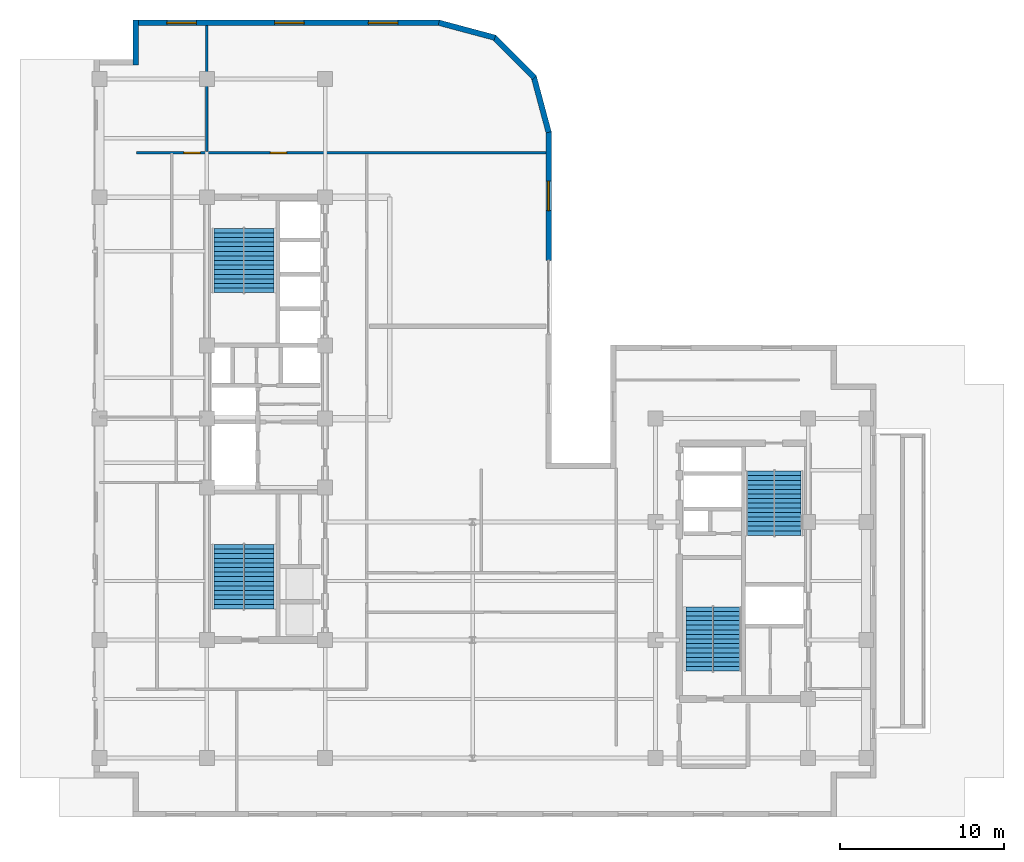
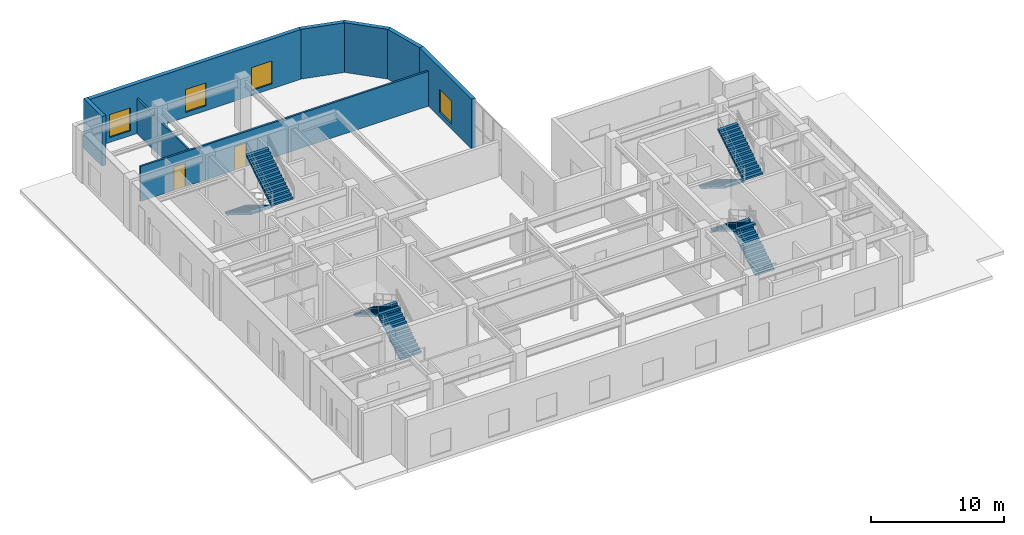
# One storey, part 10 of 16: 8 stair flights, 8 walls, 4 windows, 2 doors, 6 openings, 4 elements without a shape of their own.
"""IFC4 building model written with IfcOpenShell, lengths in metres."""

import ifcopenshell
import ifcopenshell.guid

model = None  # the IFC model being written
_history = None  # IfcOwnerHistory: only IFC2X3 demands one
_inside = {}  # id of a spatial element -> (the spatial element, [elements in it])
_under = {}  # id of a project, library or spatial element -> (it, [spatial elements below it])
_declared = {}  # id of a project -> (the project, [libraries it declares])
_typed = {}  # id of a type object -> (the type object, [elements of that type])
_made_of = {}  # id of a material, layer set ... -> (it, [elements and type objects made of it])


def new_model(schema):
    """Start an empty IFC model of exactly this schema.

    Asked for "IFC4X3", IfcOpenShell would pick the latest addendum, in which some entities
    have other attributes; the version numbers below select the first issue.
    IFC2X3 requires an IfcOwnerHistory on every rooted entity: one is made here for all.
    """
    global model, _history
    if schema == "IFC4X3":
        model = ifcopenshell.file(schema_version=(4, 3, 0, 0))
    else:
        model = ifcopenshell.file(schema=schema)
    _inside.clear()
    _under.clear()
    _declared.clear()
    _typed.clear()
    _made_of.clear()
    _history = None
    if model.schema == "IFC2X3":
        org = make("IfcOrganization", Name="unknown")
        user = make(
            "IfcPersonAndOrganization",
            ThePerson=make("IfcPerson", FamilyName="unknown"),
            TheOrganization=org,
        )
        app = make(
            "IfcApplication",
            ApplicationDeveloper=org,
            Version="unknown",
            ApplicationFullName="unknown",
            ApplicationIdentifier="unknown",
        )
        _history = make(
            "IfcOwnerHistory",
            OwningUser=user,
            OwningApplication=app,
            ChangeAction="ADDED",
            CreationDate=0,
        )
    return model


def make(cls, **values):
    """One entity of the class cls with the attributes given. An attribute that is None is left unset."""
    return model.create_entity(
        cls, **{name: value for name, value in values.items() if value is not None}
    )


def entity(cls, *values):
    """Any entity or typed value of the class cls, its attributes in the order of the schema. None: left unset."""
    e = model.create_entity(cls)
    for i, value in enumerate(values):
        if value is not None:
            e[i] = value
    return e


def rooted(cls, **values):
    """An entity with a GlobalId (a new one), such as an element, a storey or a relation."""
    return make(cls, GlobalId=ifcopenshell.guid.new(), OwnerHistory=_history, **values)


def si_unit(unit_type, name, prefix=None):
    """IfcSIUnit, for example si_unit("LENGTHUNIT", "METRE", prefix="MILLI")."""
    return make("IfcSIUnit", UnitType=unit_type, Prefix=prefix, Name=name)


def converted_unit(unit_type, name, factor, base, dimensions=None, offset=None):
    """IfcConversionBasedUnit, such as the inch: factor (a typed value) times the base unit."""
    return make(
        "IfcConversionBasedUnit"
        if offset is None
        else "IfcConversionBasedUnitWithOffset",
        ConversionOffset=offset,
        Dimensions=None
        if dimensions is None
        else entity("IfcDimensionalExponents", *dimensions),
        UnitType=unit_type,
        Name=name,
        ConversionFactor=make(
            "IfcMeasureWithUnit", ValueComponent=factor, UnitComponent=base
        ),
    )


def assignment(units):
    """IfcUnitAssignment: the units of a project."""
    return None if units is None else make("IfcUnitAssignment", Units=units)


def point(xyz):
    """IfcCartesianPoint."""
    return None if xyz is None else make("IfcCartesianPoint", Coordinates=xyz)


def direction(xyz):
    """IfcDirection."""
    return None if xyz is None else make("IfcDirection", DirectionRatios=xyz)


def frame(location, z_axis=None, x_axis=None):
    """IfcAxis2Placement3D, a coordinate frame: its origin and axes. An axis left out is left unset."""
    return make(
        "IfcAxis2Placement3D",
        Location=point(location),
        Axis=direction(z_axis),
        RefDirection=direction(x_axis),
    )


def frame_2d(location, x_axis=None):
    """IfcAxis2Placement2D, a coordinate frame in the plane: its origin and x axis."""
    return make(
        "IfcAxis2Placement2D", Location=point(location), RefDirection=direction(x_axis)
    )


def origin_with_axes():
    """The frame at (0, 0, 0) with the z axis (0, 0, 1) and the x axis (1, 0, 0) written out."""
    return frame((0.0, 0.0, 0.0), z_axis=(0.0, 0.0, 1.0), x_axis=(1.0, 0.0, 0.0))


def origin_2d_with_axis():
    """The frame at (0, 0) in the plane with the x axis (1, 0) written out."""
    return frame_2d((0.0, 0.0), x_axis=(1.0, 0.0))


def place(relative_to, where):
    """IfcLocalPlacement: puts the frame where relative to a parent placement (None: the world)."""
    return make(
        "IfcLocalPlacement", PlacementRelTo=relative_to, RelativePlacement=where
    )


def context(
    kind, dimensions, precision=None, world=None, true_north=None, identifier=None
):
    """IfcGeometricRepresentationContext, for example the 3D "Model" context."""
    return make(
        "IfcGeometricRepresentationContext",
        ContextIdentifier=identifier,
        ContextType=kind,
        CoordinateSpaceDimension=dimensions,
        Precision=precision,
        WorldCoordinateSystem=world,
        TrueNorth=true_north,
    )


def subcontext(parent, identifier, kind, view, scale=None):
    """IfcGeometricRepresentationSubContext, for example "Body" below "Model"."""
    return make(
        "IfcGeometricRepresentationSubContext",
        ContextIdentifier=identifier,
        ContextType=kind,
        ParentContext=parent,
        TargetScale=scale,
        TargetView=view,
    )


def project(units=None, contexts=None):
    """IfcProject with its units and contexts."""
    return rooted(
        "IfcProject",
        Name="project",
        RepresentationContexts=contexts,
        UnitsInContext=assignment(units),
    )


def spatial(cls, under=None, at=None, **own):
    """A site, building, storey or space (cls), placed at a placement, below another one or the project."""
    s = rooted(cls, ObjectPlacement=at, **own)
    if under is not None:
        _under.setdefault(under.id(), (under, []))[1].append(s)
    return s


def polyline(points):
    """IfcPolyline through the points."""
    return make("IfcPolyline", Points=[point(p) for p in points])


def profile(cls, at=None, kind="AREA", **sizes):
    """A parametric profile (cls). Its sizes go by their IFC names, for example OverallWidth=200.0."""
    return make(cls, ProfileType=kind, Position=at, **sizes)


def rectangle(**sizes):
    """IfcRectangleProfileDef."""
    return profile("IfcRectangleProfileDef", **sizes)


def outline(outer, holes=None, kind="AREA"):
    """IfcArbitraryClosedProfileDef: a profile drawn as a closed curve; with holes, ...WithVoids."""
    if holes is None:
        return make("IfcArbitraryClosedProfileDef", ProfileType=kind, OuterCurve=outer)
    return make(
        "IfcArbitraryProfileDefWithVoids",
        ProfileType=kind,
        OuterCurve=outer,
        InnerCurves=holes,
    )


def extrude(swept, where, along, depth):
    """IfcExtrudedAreaSolid: the profile swept, set in the frame where, extruded along a direction by depth."""
    return make(
        "IfcExtrudedAreaSolid",
        SweptArea=swept,
        Position=where,
        ExtrudedDirection=direction(along),
        Depth=depth,
    )


def shape(context_of_items, identifier, shape_type, items):
    """IfcShapeRepresentation: the items that make up one representation, for example the "Body"."""
    return make(
        "IfcShapeRepresentation",
        ContextOfItems=context_of_items,
        RepresentationIdentifier=identifier,
        RepresentationType=shape_type,
        Items=items,
    )


def material(Name=None, Category=None):
    """IfcMaterial."""
    return make("IfcMaterial", Name=Name, Category=Category)


def layer(
    of_material, thickness, ventilated=None, Name=None, Category=None, Priority=None
):
    """IfcMaterialLayer: one layer of a wall or slab, of a material (None: an air gap)."""
    return make(
        "IfcMaterialLayer",
        Material=of_material,
        LayerThickness=thickness,
        IsVentilated=ventilated,
        Name=Name,
        Category=Category,
        Priority=Priority,
    )


def layer_set(layers, Name=None):
    """IfcMaterialLayerSet."""
    return make("IfcMaterialLayerSet", MaterialLayers=layers, LayerSetName=Name)


def made_of(thing, what):
    """Note that an element or type object is made of a material, layer set ...; save() writes the relation."""
    if what is not None:
        _made_of.setdefault(what.id(), (what, []))[1].append(thing)
    return thing


def type_object(cls, material=None, **own):
    """A type object (cls), such as IfcWallType, which elements share."""
    return made_of(rooted(cls, **own), material)


def element(
    cls,
    number,
    at=None,
    inside=None,
    cuts=None,
    type_object=None,
    material=None,
    context=None,
    identifier="Body",
    shape_type=None,
    held_by="IfcProductDefinitionShape",
    body=None,
    shapes=None,
    **own,
):
    """One element of the class cls, such as IfcWall. Its Tag is "e" and its number.

    at: its placement. inside: the storey or other place that contains it. cuts: it is an
    opening in that element (IfcRelVoidsElement). A single representation is given by context,
    identifier, shape_type and body (its items); several are given by shapes. held_by: the class
    of the entity that holds the representations. save() writes the other relations.
    """
    e = rooted(cls, Tag="e%d" % number, ObjectPlacement=at, **own)
    if body is not None:
        shapes = [shape(context, identifier, shape_type, body)]
    if shapes is not None:
        e.Representation = make(held_by, Representations=shapes)
    if inside is not None:
        _inside.setdefault(inside.id(), (inside, []))[1].append(e)
    if cuts is not None:
        rooted(
            "IfcRelVoidsElement", RelatingBuildingElement=cuts, RelatedOpeningElement=e
        )
    if type_object is not None:
        _typed.setdefault(type_object.id(), (type_object, []))[1].append(e)
    return made_of(e, material)


def fill(opening, filler):
    """IfcRelFillsElement: the door or window that sits in an opening."""
    return rooted(
        "IfcRelFillsElement",
        RelatingOpeningElement=opening,
        RelatedBuildingElement=filler,
    )


def aggregate(whole, parts):
    """IfcRelAggregates: a whole, such as a stair, and the parts it consists of."""
    return rooted("IfcRelAggregates", RelatingObject=whole, RelatedObjects=parts)


def save(model, path):
    """Write the relations noted so far, then the file.

    IfcRelAggregates (storeys below a building ...), IfcRelContainedInSpatialStructure (elements
    in a storey), IfcRelDefinesByType, IfcRelAssociatesMaterial and IfcRelDeclares: one each for
    every whole, place, type object, material and project.
    """
    for whole, parts in _under.values():
        aggregate(whole, parts)
    for where, things in _inside.values():
        rooted(
            "IfcRelContainedInSpatialStructure",
            RelatedElements=things,
            RelatingStructure=where,
        )
    for kind, things in _typed.values():
        rooted("IfcRelDefinesByType", RelatedObjects=things, RelatingType=kind)
    for what, things in _made_of.values():
        rooted("IfcRelAssociatesMaterial", RelatedObjects=things, RelatingMaterial=what)
    for by, libraries in _declared.values():
        rooted("IfcRelDeclares", RelatingContext=by, RelatedDefinitions=libraries)
    model.write(path)


model = new_model("IFC4")

# Units and contexts
model_context = context("Model", 3, precision=1e-05, world=origin_with_axes(), true_north=direction((0.0, 1.0)))
body_context = subcontext(model_context, "Body", "Model", "MODEL_VIEW")
ifc_project = project(units=[si_unit("LENGTHUNIT", "METRE"), si_unit("AREAUNIT", "SQUARE_METRE"), si_unit("VOLUMEUNIT", "CUBIC_METRE"), converted_unit("PLANEANGLEUNIT", "DEGREE", entity("IfcPlaneAngleMeasure", 0.017453292519943295), si_unit("PLANEANGLEUNIT", "RADIAN"), dimensions=[0, 0, 0, 0, 0, 0, 0]), si_unit("MASSUNIT", "GRAM", prefix="KILO"), si_unit("THERMODYNAMICTEMPERATUREUNIT", "KELVIN")], contexts=[model_context])

# Site, building, storey
site_placement = place(None, origin_with_axes())
site = spatial("IfcSite", under=ifc_project, at=site_placement, CompositionType="ELEMENT")
building_placement = place(site_placement, origin_with_axes())
building = spatial("IfcBuilding", under=site, at=building_placement, Name="Varnlund Millrace Tower", CompositionType="ELEMENT")
storey_placement = place(building_placement, frame((0.0, 0.0, 219.9), z_axis=(0.0, 0.0, 1.0), x_axis=(1.0, 0.0, 0.0)))
storey = spatial("IfcBuildingStorey", under=building, at=storey_placement, Name="L54", CompositionType="ELEMENT", Elevation=219.9)

# Wall
ifc_material_1 = material(Name="Precast concrete C50/60", Category="concrete")
ifc_layer_1 = layer(ifc_material_1, 0.34, Name="Precast concrete C50/60")
ifc_layer_set_1 = layer_set([ifc_layer_1], Name="Precast concrete C50/60")
wall_type_1 = type_object("IfcWallType", Name="Type-ExtWall-Precast-Upper-340", PredefinedType="SOLIDWALL", material=ifc_layer_set_1)
wall_1_placement = place(storey_placement, frame((7.07, 45.86, 0.0), z_axis=(0.0, 0.0, 1.0), x_axis=(0.0, 1.0, 0.0)))
element("IfcWall", 1, at=wall_1_placement, inside=storey, type_object=wall_type_1, Name="Type-ExtWall-Precast-Upper-340", PredefinedType="SOLIDWALL", context=body_context, shape_type="SweptSolid", body=[
    extrude(outline(polyline([(0.0, -0.17), (2.74, -0.17), (2.74, 0.17), (0.0, 0.17), (0.0, -0.17)])), origin_with_axes(), (0.0, 0.0, 1.0), 4.56),
])

# Wall, openings, windows
wall_2_placement = place(storey_placement, frame((7.24, 48.43, 0.0), z_axis=(0.0, 0.0, 1.0), x_axis=(1.0, 0.0, 0.0)))
wall_2 = element("IfcWall", 2, at=wall_2_placement, inside=storey, type_object=wall_type_1, Name="Type-ExtWall-Precast-Upper-340", PredefinedType="SOLIDWALL", context=body_context, shape_type="SweptSolid", body=[
    extrude(outline(polyline([(0.0, -0.17), (18.36, -0.17), (18.36, 0.17), (0.0, 0.17), (0.0, -0.17)])), origin_with_axes(), (0.0, 0.0, 1.0), 4.56),
])
opening_1_placement = place(wall_2_placement, frame((2.61, 0.0, 0.45), z_axis=(0.0, 0.0, 1.0), x_axis=(1.0, 0.0, 0.0)))
opening_1 = element("IfcOpeningElement", 3, at=opening_1_placement, cuts=wall_2, Name="Opening L54:WN-21", PredefinedType="OPENING", context=body_context, shape_type="SweptSolid", body=[
    extrude(rectangle(XDim=1.8, YDim=0.36, at=origin_2d_with_axis()), origin_with_axes(), (0.0, 0.0, 1.0), 2.1),
])
opening_2_placement = place(wall_2_placement, frame((9.18, 0.0, 0.45), z_axis=(0.0, 0.0, 1.0), x_axis=(1.0, 0.0, 0.0)))
opening_2 = element("IfcOpeningElement", 4, at=opening_2_placement, cuts=wall_2, Name="Opening L54:WN-22", PredefinedType="OPENING", context=body_context, shape_type="SweptSolid", body=[
    extrude(rectangle(XDim=1.8, YDim=0.36, at=origin_2d_with_axis()), origin_with_axes(), (0.0, 0.0, 1.0), 2.1),
])
opening_3_placement = place(wall_2_placement, frame((14.9, 0.0, 0.45), z_axis=(0.0, 0.0, 1.0), x_axis=(1.0, 0.0, 0.0)))
opening_3 = element("IfcOpeningElement", 5, at=opening_3_placement, cuts=wall_2, Name="Opening L54:WN-23", PredefinedType="OPENING", context=body_context, shape_type="SweptSolid", body=[
    extrude(rectangle(XDim=1.8, YDim=0.36, at=origin_2d_with_axis()), origin_with_axes(), (0.0, 0.0, 1.0), 2.1),
])
ifc_material_2 = material(Name="Argon low-e triple glazing in thermally broken bronze frame", Category="glass")
window_type = type_object("IfcWindowType", Name="Type-Window-Punched-1800X2100", PartitioningType="SINGLE_PANEL", PredefinedType="WINDOW", material=ifc_material_2)
window_1_placement = place(wall_2_placement, frame((2.61, 0.0, 0.45), z_axis=(0.0, 0.0, 1.0), x_axis=(1.0, 0.0, 0.0)))
window_1 = element("IfcWindow", 6, at=window_1_placement, inside=storey, type_object=window_type, Name="Type-Window-Punched-1800X2100", OverallHeight=2.1, OverallWidth=1.8, PredefinedType="WINDOW", context=body_context, shape_type="SweptSolid", body=[
    extrude(rectangle(XDim=1.8, YDim=0.09, at=origin_2d_with_axis()), origin_with_axes(), (0.0, 0.0, 1.0), 2.1),
])
fill(opening_1, window_1)
window_2_placement = place(wall_2_placement, frame((9.18, 0.0, 0.45), z_axis=(0.0, 0.0, 1.0), x_axis=(1.0, 0.0, 0.0)))
window_2 = element("IfcWindow", 7, at=window_2_placement, inside=storey, type_object=window_type, Name="Type-Window-Punched-1800X2100", OverallHeight=2.1, OverallWidth=1.8, PredefinedType="WINDOW", context=body_context, shape_type="SweptSolid", body=[
    extrude(rectangle(XDim=1.8, YDim=0.09, at=origin_2d_with_axis()), origin_with_axes(), (0.0, 0.0, 1.0), 2.1),
])
fill(opening_2, window_2)
window_3_placement = place(wall_2_placement, frame((14.9, 0.0, 0.45), z_axis=(0.0, 0.0, 1.0), x_axis=(1.0, 0.0, 0.0)))
window_3 = element("IfcWindow", 8, at=window_3_placement, inside=storey, type_object=window_type, Name="Type-Window-Punched-1800X2100", OverallHeight=2.1, OverallWidth=1.8, PredefinedType="WINDOW", context=body_context, shape_type="SweptSolid", body=[
    extrude(rectangle(XDim=1.8, YDim=0.09, at=origin_2d_with_axis()), origin_with_axes(), (0.0, 0.0, 1.0), 2.1),
])
fill(opening_3, window_3)

# Walls
wall_3_placement = place(storey_placement, frame((25.537, 48.441, 0.0), z_axis=(0.0, 0.0, 1.0), x_axis=(0.965934, -0.258788, 0.0)))
element("IfcWall", 9, at=wall_3_placement, inside=storey, type_object=wall_type_1, Name="Type-ExtWall-Precast-Upper-340", PredefinedType="SOLIDWALL", context=body_context, shape_type="SweptSolid", body=[
    extrude(outline(polyline([(0.0, -0.17), (3.539579, -0.17), (3.539579, 0.17), (0.0, 0.17), (0.0, -0.17)])), origin_with_axes(), (0.0, 0.0, 1.0), 4.56),
])
wall_4_placement = place(storey_placement, frame((28.866, 47.583, 0.0), z_axis=(0.0, 0.0, 1.0), x_axis=(0.707107, -0.707107, 0.0)))
element("IfcWall", 10, at=wall_4_placement, inside=storey, type_object=wall_type_1, Name="Type-ExtWall-Precast-Upper-340", PredefinedType="SOLIDWALL", context=body_context, shape_type="SweptSolid", body=[
    extrude(outline(polyline([(0.0, -0.17), (3.539777, -0.17), (3.539777, 0.17), (0.0, 0.17), (0.0, -0.17)])), origin_with_axes(), (0.0, 0.0, 1.0), 4.56),
])
wall_5_placement = place(storey_placement, frame((31.32, 45.175, 0.0), z_axis=(0.0, 0.0, 1.0), x_axis=(0.258788, -0.965934, 0.0)))
element("IfcWall", 11, at=wall_5_placement, inside=storey, type_object=wall_type_1, Name="Type-ExtWall-Precast-Upper-340", PredefinedType="SOLIDWALL", context=body_context, shape_type="SweptSolid", body=[
    extrude(outline(polyline([(0.0, -0.17), (3.539579, -0.17), (3.539579, 0.17), (0.0, 0.17), (0.0, -0.17)])), origin_with_axes(), (0.0, 0.0, 1.0), 4.56),
])

# Wall, opening, window
wall_6_placement = place(storey_placement, frame((32.23, 41.82, 0.0), z_axis=(0.0, 0.0, 1.0), x_axis=(0.0, -1.0, 0.0)))
wall_6 = element("IfcWall", 12, at=wall_6_placement, inside=storey, type_object=wall_type_1, Name="Type-ExtWall-Precast-Upper-340", PredefinedType="SOLIDWALL", context=body_context, shape_type="SweptSolid", body=[
    extrude(outline(polyline([(0.0, -0.17), (7.87, -0.17), (7.87, 0.17), (0.0, 0.17), (0.0, -0.17)])), origin_with_axes(), (0.0, 0.0, 1.0), 4.56),
])
opening_4_placement = place(wall_6_placement, frame((3.935, 0.0, 0.45), z_axis=(0.0, 0.0, 1.0), x_axis=(1.0, 0.0, 0.0)))
opening_4 = element("IfcOpeningElement", 13, at=opening_4_placement, cuts=wall_6, Name="Opening L54:WN-24", PredefinedType="OPENING", context=body_context, shape_type="SweptSolid", body=[
    extrude(rectangle(XDim=1.8, YDim=0.36, at=origin_2d_with_axis()), origin_with_axes(), (0.0, 0.0, 1.0), 2.1),
])
window_4_placement = place(wall_6_placement, frame((3.935, 0.0, 0.45), z_axis=(0.0, 0.0, 1.0), x_axis=(1.0, 0.0, 0.0)))
window_4 = element("IfcWindow", 14, at=window_4_placement, inside=storey, type_object=window_type, Name="Type-Window-Punched-1800X2100", OverallHeight=2.1, OverallWidth=1.8, PredefinedType="WINDOW", context=body_context, shape_type="SweptSolid", body=[
    extrude(rectangle(XDim=1.8, YDim=0.09, at=origin_2d_with_axis()), origin_with_axes(), (0.0, 0.0, 1.0), 2.1),
])
fill(opening_4, window_4)

# Wall, openings, doors
ifc_material_3 = material(Name="Fire-rated gypsum board on cold-formed steel framing", Category="steel")
ifc_layer_2 = layer(ifc_material_3, 0.16, Name="Fire-rated gypsum board on cold-formed steel framing")
ifc_layer_set_2 = layer_set([ifc_layer_2], Name="Fire-rated gypsum board on cold-formed steel framing")
wall_type_2 = type_object("IfcWallType", Name="Type-Partition-Corridor-160", PredefinedType="PARTITIONING", material=ifc_layer_set_2)
wall_7_placement = place(storey_placement, frame((7.1, 40.5, 0.0), z_axis=(0.0, 0.0, 1.0), x_axis=(1.0, 0.0, 0.0)))
wall_7 = element("IfcWall", 15, at=wall_7_placement, inside=storey, type_object=wall_type_2, Name="Type-Partition-Corridor-160", PredefinedType="PARTITIONING", context=body_context, shape_type="SweptSolid", body=[
    extrude(outline(polyline([(0.0, -0.08), (24.965, -0.08), (24.965, 0.08), (0.0, 0.08), (0.0, -0.08)])), origin_with_axes(), (0.0, 0.0, 1.0), 3.2),
])
opening_5_placement = place(wall_7_placement, frame((3.395, 0.0, 0.0), z_axis=(0.0, 0.0, 1.0), x_axis=(1.0, 0.0, 0.0)))
opening_5 = element("IfcOpeningElement", 16, at=opening_5_placement, cuts=wall_7, Name="Opening L54:DR-WAN-01", PredefinedType="OPENING", context=body_context, shape_type="SweptSolid", body=[
    extrude(rectangle(XDim=1.0, YDim=0.18, at=origin_2d_with_axis()), origin_with_axes(), (0.0, 0.0, 1.0), 2.15),
])
opening_6_placement = place(wall_7_placement, frame((8.66, 0.0, 0.0), z_axis=(0.0, 0.0, 1.0), x_axis=(1.0, 0.0, 0.0)))
opening_6 = element("IfcOpeningElement", 17, at=opening_6_placement, cuts=wall_7, Name="Opening L54:DR-WAN-02", PredefinedType="OPENING", context=body_context, shape_type="SweptSolid", body=[
    extrude(rectangle(XDim=1.0, YDim=0.18, at=origin_2d_with_axis()), origin_with_axes(), (0.0, 0.0, 1.0), 2.15),
])
ifc_material_4 = material(Name="Solid-core white oak and bronze frame door")
door_type = type_object("IfcDoorType", Name="Type-IntDoor-Office-1000X2150", OperationType="NOTDEFINED", PredefinedType="DOOR", material=ifc_material_4)
door_1_placement = place(wall_7_placement, frame((3.395, 0.0, 0.0), z_axis=(0.0, 0.0, 1.0), x_axis=(1.0, 0.0, 0.0)))
door_1 = element("IfcDoor", 18, at=door_1_placement, inside=storey, type_object=door_type, Name="Type-IntDoor-Office-1000X2150", OperationType="SINGLE_SWING_LEFT", OverallHeight=2.15, OverallWidth=1.0, PredefinedType="DOOR", context=body_context, shape_type="SweptSolid", body=[
    extrude(rectangle(XDim=1.0, YDim=0.09, at=origin_2d_with_axis()), origin_with_axes(), (0.0, 0.0, 1.0), 2.15),
])
fill(opening_5, door_1)
door_2_placement = place(wall_7_placement, frame((8.66, 0.0, 0.0), z_axis=(0.0, 0.0, 1.0), x_axis=(1.0, 0.0, 0.0)))
door_2 = element("IfcDoor", 19, at=door_2_placement, inside=storey, type_object=door_type, Name="Type-IntDoor-Office-1000X2150", OperationType="SINGLE_SWING_RIGHT", OverallHeight=2.15, OverallWidth=1.0, PredefinedType="DOOR", context=body_context, shape_type="SweptSolid", body=[
    extrude(rectangle(XDim=1.0, YDim=0.09, at=origin_2d_with_axis()), origin_with_axes(), (0.0, 0.0, 1.0), 2.15),
])
fill(opening_6, door_2)

# Wall
ifc_material_5 = material(Name="Acoustic STC-50 gypsum board partition", Category="gypsum")
ifc_layer_3 = layer(ifc_material_5, 0.15, Name="Acoustic STC-50 gypsum board partition")
ifc_layer_set_3 = layer_set([ifc_layer_3], Name="Acoustic STC-50 gypsum board partition")
wall_type_3 = type_object("IfcWallType", Name="Type-Partition-Demising-150", PredefinedType="PARTITIONING", material=ifc_layer_set_3)
wall_8_placement = place(storey_placement, frame((11.4, 40.6, 0.0), z_axis=(0.0, 0.0, 1.0), x_axis=(0.0, 1.0, 0.0)))
element("IfcWall", 20, at=wall_8_placement, inside=storey, type_object=wall_type_3, Name="Type-Partition-Demising-150", PredefinedType="PARTITIONING", context=body_context, shape_type="SweptSolid", body=[
    extrude(outline(polyline([(0.0, -0.075), (7.665, -0.075), (7.665, 0.075), (0.0, 0.075), (0.0, -0.075)])), origin_with_axes(), (0.0, 0.0, 1.0), 3.2),
])

# Stair, stair flights
ifc_material_6 = material(Name="Concrete C50/60", Category="concrete")
stair_type_1 = type_object("IfcStairType", Name="Type-Stair-Dogleg-165-480", PredefinedType="HALF_TURN_STAIR", material=ifc_material_6)
stair_1_placement = place(storey_placement, origin_with_axes())
stair_1 = element("IfcStair", 21, at=stair_1_placement, inside=storey, type_object=stair_type_1, Name="Type-Stair-Dogleg-165-480", PredefinedType="HALF_TURN_STAIR")
stair_flight_type_1 = type_object("IfcStairFlightType", Name="Type-Dogleg-Run-165-480", PredefinedType="STRAIGHT", material=ifc_material_1)
stair_flight_1_placement = place(storey_placement, frame((42.225, 8.9, 0.0), z_axis=(1.0, 0.0, 0.0), x_axis=(0.0, 1.0, 0.0)))
stair_flight_1 = element("IfcStairFlight", 22, at=stair_flight_1_placement, type_object=stair_flight_type_1, Name="ST-B1 flight 1", NumberOfRisers=14, NumberOfTreads=14, PredefinedType="STRAIGHT", RiserHeight=0.171429, TreadLength=0.28, context=body_context, shape_type="SweptSolid", body=[
    extrude(outline(polyline([(0.0, 0.0), (0.0, 0.171429), (0.28, 0.171429), (0.28, 0.342857), (0.56, 0.342857), (0.56, 0.514286), (0.84, 0.514286), (0.84, 0.685714), (1.12, 0.685714), (1.12, 0.857143), (1.4, 0.857143), (1.4, 1.028572), (1.68, 1.028572), (1.68, 1.2), (1.96, 1.2), (1.96, 1.371429), (2.24, 1.371429), (2.24, 1.542857), (2.52, 1.542857), (2.52, 1.714286), (2.8, 1.714286), (2.8, 1.885715), (3.08, 1.885715), (3.08, 2.057143), (3.36, 2.057143), (3.36, 2.228572), (3.64, 2.228572), (3.64, 2.4), (3.92, 2.4), (3.92, 2.25), (0.28, 0.0), (0.0, 0.0)])), origin_with_axes(), (0.0, 0.0, 1.0), 1.65),
])
stair_flight_2_placement = place(storey_placement, frame((42.275, 12.82, 2.4), z_axis=(-1.0, 0.0, 0.0), x_axis=(0.0, -1.0, 0.0)))
stair_flight_2 = element("IfcStairFlight", 23, at=stair_flight_2_placement, type_object=stair_flight_type_1, Name="ST-B1 flight 2", NumberOfRisers=14, NumberOfTreads=14, PredefinedType="STRAIGHT", RiserHeight=0.171429, TreadLength=0.28, context=body_context, shape_type="SweptSolid", body=[
    extrude(outline(polyline([(0.0, 0.0), (0.0, 0.171429), (0.28, 0.171429), (0.28, 0.342857), (0.56, 0.342857), (0.56, 0.514286), (0.84, 0.514286), (0.84, 0.685714), (1.12, 0.685714), (1.12, 0.857143), (1.4, 0.857143), (1.4, 1.028572), (1.68, 1.028572), (1.68, 1.2), (1.96, 1.2), (1.96, 1.371429), (2.24, 1.371429), (2.24, 1.542857), (2.52, 1.542857), (2.52, 1.714286), (2.8, 1.714286), (2.8, 1.885715), (3.08, 1.885715), (3.08, 2.057143), (3.36, 2.057143), (3.36, 2.228572), (3.64, 2.228572), (3.64, 2.4), (3.92, 2.4), (3.92, 2.25), (0.28, 0.0), (0.0, 0.0)])), origin_with_axes(), (0.0, 0.0, 1.0), 1.65),
])
aggregate(stair_1, [stair_flight_1, stair_flight_2])

stair_2_placement = place(storey_placement, origin_with_axes())
stair_2 = element("IfcStair", 24, at=stair_2_placement, inside=storey, type_object=stair_type_1, Name="Type-Stair-Dogleg-165-480", PredefinedType="HALF_TURN_STAIR")
stair_flight_3_placement = place(storey_placement, frame((46.025, 21.1, 0.0), z_axis=(-1.0, 0.0, 0.0), x_axis=(0.0, -1.0, 0.0)))
stair_flight_3 = element("IfcStairFlight", 25, at=stair_flight_3_placement, type_object=stair_flight_type_1, Name="ST-B2 flight 1", NumberOfRisers=14, NumberOfTreads=14, PredefinedType="STRAIGHT", RiserHeight=0.171429, TreadLength=0.28, context=body_context, shape_type="SweptSolid", body=[
    extrude(outline(polyline([(0.0, 0.0), (0.0, 0.171429), (0.28, 0.171429), (0.28, 0.342857), (0.56, 0.342857), (0.56, 0.514286), (0.84, 0.514286), (0.84, 0.685714), (1.12, 0.685714), (1.12, 0.857143), (1.4, 0.857143), (1.4, 1.028572), (1.68, 1.028572), (1.68, 1.2), (1.96, 1.2), (1.96, 1.371429), (2.24, 1.371429), (2.24, 1.542857), (2.52, 1.542857), (2.52, 1.714286), (2.8, 1.714286), (2.8, 1.885715), (3.08, 1.885715), (3.08, 2.057143), (3.36, 2.057143), (3.36, 2.228572), (3.64, 2.228572), (3.64, 2.4), (3.92, 2.4), (3.92, 2.25), (0.28, 0.0), (0.0, 0.0)])), origin_with_axes(), (0.0, 0.0, 1.0), 1.65),
])
stair_flight_4_placement = place(storey_placement, frame((45.975, 17.18, 2.4), z_axis=(1.0, 0.0, 0.0), x_axis=(0.0, 1.0, 0.0)))
stair_flight_4 = element("IfcStairFlight", 26, at=stair_flight_4_placement, type_object=stair_flight_type_1, Name="ST-B2 flight 2", NumberOfRisers=14, NumberOfTreads=14, PredefinedType="STRAIGHT", RiserHeight=0.171429, TreadLength=0.28, context=body_context, shape_type="SweptSolid", body=[
    extrude(outline(polyline([(0.0, 0.0), (0.0, 0.171429), (0.28, 0.171429), (0.28, 0.342857), (0.56, 0.342857), (0.56, 0.514286), (0.84, 0.514286), (0.84, 0.685714), (1.12, 0.685714), (1.12, 0.857143), (1.4, 0.857143), (1.4, 1.028572), (1.68, 1.028572), (1.68, 1.2), (1.96, 1.2), (1.96, 1.371429), (2.24, 1.371429), (2.24, 1.542857), (2.52, 1.542857), (2.52, 1.714286), (2.8, 1.714286), (2.8, 1.885715), (3.08, 1.885715), (3.08, 2.057143), (3.36, 2.057143), (3.36, 2.228572), (3.64, 2.228572), (3.64, 2.4), (3.92, 2.4), (3.92, 2.25), (0.28, 0.0), (0.0, 0.0)])), origin_with_axes(), (0.0, 0.0, 1.0), 1.65),
])
aggregate(stair_2, [stair_flight_3, stair_flight_4])

stair_type_2 = type_object("IfcStairType", Name="Type-Stair-Dogleg-185-480", PredefinedType="HALF_TURN_STAIR", material=ifc_material_6)
stair_3_placement = place(storey_placement, origin_with_axes())
stair_3 = element("IfcStair", 27, at=stair_3_placement, inside=storey, type_object=stair_type_2, Name="Type-Stair-Dogleg-185-480", PredefinedType="HALF_TURN_STAIR")
stair_flight_type_2 = type_object("IfcStairFlightType", Name="Type-Dogleg-Run-185-480", PredefinedType="STRAIGHT", material=ifc_material_1)
stair_flight_5_placement = place(storey_placement, frame((13.625, 12.7, 0.0), z_axis=(1.0, 0.0, 0.0), x_axis=(0.0, 1.0, 0.0)))
stair_flight_5 = element("IfcStairFlight", 28, at=stair_flight_5_placement, type_object=stair_flight_type_2, Name="ST-A1 flight 1", NumberOfRisers=14, NumberOfTreads=14, PredefinedType="STRAIGHT", RiserHeight=0.171429, TreadLength=0.28, context=body_context, shape_type="SweptSolid", body=[
    extrude(outline(polyline([(0.0, 0.0), (0.0, 0.171429), (0.28, 0.171429), (0.28, 0.342857), (0.56, 0.342857), (0.56, 0.514286), (0.84, 0.514286), (0.84, 0.685714), (1.12, 0.685714), (1.12, 0.857143), (1.4, 0.857143), (1.4, 1.028572), (1.68, 1.028572), (1.68, 1.2), (1.96, 1.2), (1.96, 1.371429), (2.24, 1.371429), (2.24, 1.542857), (2.52, 1.542857), (2.52, 1.714286), (2.8, 1.714286), (2.8, 1.885715), (3.08, 1.885715), (3.08, 2.057143), (3.36, 2.057143), (3.36, 2.228572), (3.64, 2.228572), (3.64, 2.4), (3.92, 2.4), (3.92, 2.25), (0.28, 0.0), (0.0, 0.0)])), origin_with_axes(), (0.0, 0.0, 1.0), 1.85),
])
stair_flight_6_placement = place(storey_placement, frame((13.675, 16.62, 2.4), z_axis=(-1.0, 0.0, 0.0), x_axis=(0.0, -1.0, 0.0)))
stair_flight_6 = element("IfcStairFlight", 29, at=stair_flight_6_placement, type_object=stair_flight_type_2, Name="ST-A1 flight 2", NumberOfRisers=14, NumberOfTreads=14, PredefinedType="STRAIGHT", RiserHeight=0.171429, TreadLength=0.28, context=body_context, shape_type="SweptSolid", body=[
    extrude(outline(polyline([(0.0, 0.0), (0.0, 0.171429), (0.28, 0.171429), (0.28, 0.342857), (0.56, 0.342857), (0.56, 0.514286), (0.84, 0.514286), (0.84, 0.685714), (1.12, 0.685714), (1.12, 0.857143), (1.4, 0.857143), (1.4, 1.028572), (1.68, 1.028572), (1.68, 1.2), (1.96, 1.2), (1.96, 1.371429), (2.24, 1.371429), (2.24, 1.542857), (2.52, 1.542857), (2.52, 1.714286), (2.8, 1.714286), (2.8, 1.885715), (3.08, 1.885715), (3.08, 2.057143), (3.36, 2.057143), (3.36, 2.228572), (3.64, 2.228572), (3.64, 2.4), (3.92, 2.4), (3.92, 2.25), (0.28, 0.0), (0.0, 0.0)])), origin_with_axes(), (0.0, 0.0, 1.0), 1.85),
])
aggregate(stair_3, [stair_flight_5, stair_flight_6])

stair_4_placement = place(storey_placement, origin_with_axes())
stair_4 = element("IfcStair", 30, at=stair_4_placement, inside=storey, type_object=stair_type_2, Name="Type-Stair-Dogleg-185-480", PredefinedType="HALF_TURN_STAIR")
stair_flight_7_placement = place(storey_placement, frame((13.675, 35.9, 0.0), z_axis=(-1.0, 0.0, 0.0), x_axis=(0.0, -1.0, 0.0)))
stair_flight_7 = element("IfcStairFlight", 31, at=stair_flight_7_placement, type_object=stair_flight_type_2, Name="ST-A2 flight 1", NumberOfRisers=14, NumberOfTreads=14, PredefinedType="STRAIGHT", RiserHeight=0.171429, TreadLength=0.28, context=body_context, shape_type="SweptSolid", body=[
    extrude(outline(polyline([(0.0, 0.0), (0.0, 0.171429), (0.28, 0.171429), (0.28, 0.342857), (0.56, 0.342857), (0.56, 0.514286), (0.84, 0.514286), (0.84, 0.685714), (1.12, 0.685714), (1.12, 0.857143), (1.4, 0.857143), (1.4, 1.028572), (1.68, 1.028572), (1.68, 1.2), (1.96, 1.2), (1.96, 1.371429), (2.24, 1.371429), (2.24, 1.542857), (2.52, 1.542857), (2.52, 1.714286), (2.8, 1.714286), (2.8, 1.885715), (3.08, 1.885715), (3.08, 2.057143), (3.36, 2.057143), (3.36, 2.228572), (3.64, 2.228572), (3.64, 2.4), (3.92, 2.4), (3.92, 2.25), (0.28, 0.0), (0.0, 0.0)])), origin_with_axes(), (0.0, 0.0, 1.0), 1.85),
])
stair_flight_8_placement = place(storey_placement, frame((13.625, 31.98, 2.4), z_axis=(1.0, 0.0, 0.0), x_axis=(0.0, 1.0, 0.0)))
stair_flight_8 = element("IfcStairFlight", 32, at=stair_flight_8_placement, type_object=stair_flight_type_2, Name="ST-A2 flight 2", NumberOfRisers=14, NumberOfTreads=14, PredefinedType="STRAIGHT", RiserHeight=0.171429, TreadLength=0.28, context=body_context, shape_type="SweptSolid", body=[
    extrude(outline(polyline([(0.0, 0.0), (0.0, 0.171429), (0.28, 0.171429), (0.28, 0.342857), (0.56, 0.342857), (0.56, 0.514286), (0.84, 0.514286), (0.84, 0.685714), (1.12, 0.685714), (1.12, 0.857143), (1.4, 0.857143), (1.4, 1.028572), (1.68, 1.028572), (1.68, 1.2), (1.96, 1.2), (1.96, 1.371429), (2.24, 1.371429), (2.24, 1.542857), (2.52, 1.542857), (2.52, 1.714286), (2.8, 1.714286), (2.8, 1.885715), (3.08, 1.885715), (3.08, 2.057143), (3.36, 2.057143), (3.36, 2.228572), (3.64, 2.228572), (3.64, 2.4), (3.92, 2.4), (3.92, 2.25), (0.28, 0.0), (0.0, 0.0)])), origin_with_axes(), (0.0, 0.0, 1.0), 1.85),
])
aggregate(stair_4, [stair_flight_7, stair_flight_8])

save(model, "model.ifc")
